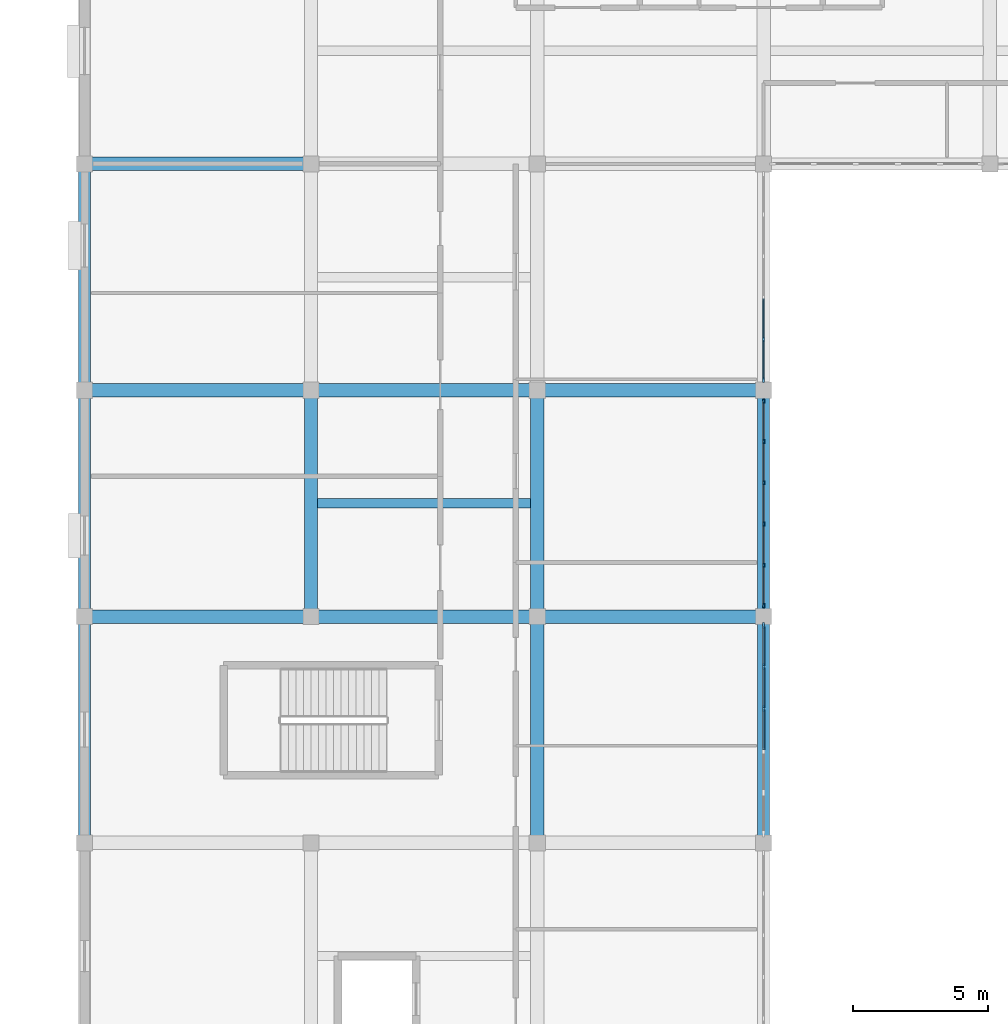
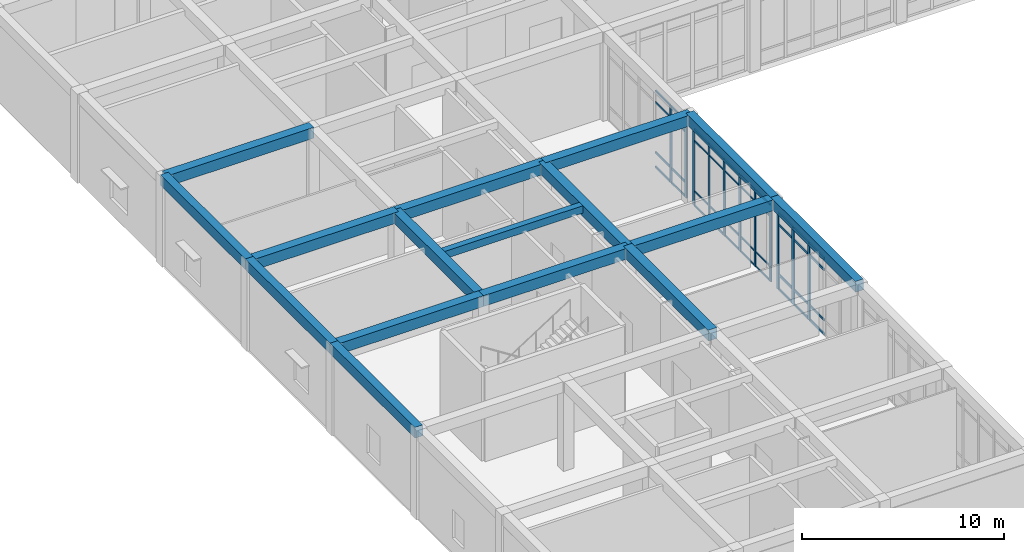
# One storey, part 17 of 89: 51 members, 16 beams, 3 elements without a shape of their own.
"""IFC4 building model written with IfcOpenShell, lengths in metres."""

from ifc_helpers import new_model, si_unit, direction, frame, origin, origin_2d, place, context, subcontext, project, spatial, rectangle, extrude, material, material_profile, profile_set, type_object, element, aggregate, save


model = new_model("IFC4")

# Units and contexts
model_context = context("Model", 3, precision=1e-05, world=origin(), true_north=direction((0.0, 1.0)))
body_context = subcontext(model_context, "Body", "Model", "MODEL_VIEW")
ifc_project = project(units=[si_unit("LENGTHUNIT", "METRE"), si_unit("AREAUNIT", "SQUARE_METRE"), si_unit("VOLUMEUNIT", "CUBIC_METRE"), si_unit("PLANEANGLEUNIT", "RADIAN"), si_unit("MASSUNIT", "GRAM", prefix="KILO")], contexts=[model_context])

# Site, building, storey
site_placement = place(None, origin())
site = spatial("IfcSite", under=ifc_project, at=site_placement, CompositionType="ELEMENT")
building_placement = place(site_placement, origin())
building = spatial("IfcBuilding", under=site, at=building_placement, Name="Varncliffe General Hospital", CompositionType="ELEMENT")
storey_placement = place(building_placement, frame((0.0, 0.0, 10.800048828125)))
storey = spatial("IfcBuildingStorey", under=building, at=storey_placement, Name="L02", CompositionType="ELEMENT", Elevation=10.800048828125)

# Beams
ifc_material_1 = material(Name="Concrete C35/45 (CSA A23.1 35 MPa)", Category="concrete")
ifc_material_profile_1 = material_profile(ifc_material_1, rectangle(XDim=0.5, YDim=0.64990234375, at=origin_2d()), Name="RC 500x650")
ifc_profile_set_1 = profile_set([ifc_material_profile_1], Name="Concrete C35/45 (CSA A23.1 35 MPa)")
beam_type_1 = type_object("IfcBeamType", Name="Beam B29 (Int RC 500x650)", PredefinedType="BEAM", material=ifc_profile_set_1)
beam_1_placement = place(storey_placement, frame((0.0, 66.0, 5.074951171875), z_axis=(1.0, 0.0, 0.0), x_axis=(0.0, 1.0, 0.0)))
element("IfcBeam", 1, at=beam_1_placement, inside=storey, type_object=beam_type_1, Name="L02 Primary Beam B29-67", PredefinedType="BEAM", context=body_context, shape_type="SweptSolid", body=[
    extrude(rectangle(XDim=0.5, YDim=0.64990234375, at=origin_2d()), origin(), (0.0, 0.0, 1.0), 8.39990234375),
])
beam_2_placement = place(storey_placement, frame((8.39990234375, 66.0, 5.074951171875), z_axis=(1.0, 0.0, 0.0), x_axis=(0.0, 1.0, 0.0)))
element("IfcBeam", 2, at=beam_2_placement, inside=storey, type_object=beam_type_1, Name="L02 Primary Beam B29-68", PredefinedType="BEAM", context=body_context, shape_type="SweptSolid", body=[
    extrude(rectangle(XDim=0.5, YDim=0.64990234375, at=origin_2d()), origin(), (0.0, 0.0, 1.0), 8.400146484375),
])
for number, where, z_axis, x_axis, name in (
    (3, (16.800048828125, 66.0, 5.074951171875), (1.0, 0.0, 0.0), (0.0, 1.0, 0.0), "L02 Primary Beam B29-69"),
    (4, (0.0, 74.39990234375, 5.074951171875), (1.0, 0.0, 0.0), (0.0, 1.0, 0.0), "L02 Primary Beam B29-80"),
):
    element("IfcBeam", number, at=place(storey_placement, frame(where, z_axis=z_axis, x_axis=x_axis)), inside=storey, type_object=beam_type_1, Name=name, PredefinedType="BEAM", context=body_context, shape_type="SweptSolid", body=[
        extrude(rectangle(XDim=0.5, YDim=0.64990234375, at=origin_2d()), origin(), (0.0, 0.0, 1.0), 8.39990234375),
    ])
beam_3_placement = place(storey_placement, frame((8.39990234375, 74.39990234375, 5.074951171875), z_axis=(1.0, 0.0, 0.0), x_axis=(0.0, 1.0, 0.0)))
element("IfcBeam", 5, at=beam_3_placement, inside=storey, type_object=beam_type_1, Name="L02 Primary Beam B29-81", PredefinedType="BEAM", context=body_context, shape_type="SweptSolid", body=[
    extrude(rectangle(XDim=0.5, YDim=0.64990234375, at=origin_2d()), origin(), (0.0, 0.0, 1.0), 8.400146484375),
])
for number, where, z_axis, x_axis, name in (
    (6, (16.800048828125, 74.39990234375, 5.074951171875), (1.0, 0.0, 0.0), (0.0, 1.0, 0.0), "L02 Primary Beam B29-82"),
    (7, (0.0, 82.800048828125, 5.074951171875), (1.0, 0.0, 0.0), (0.0, 1.0, 0.0), "L02 Primary Beam B29-93"),
    (8, (8.39990234375, 66.0, 5.074951171875), (0.0, 1.0, 0.0), (-1.0, 0.0, 0.0), "L02 Primary Beam B29-254"),
    (9, (16.800048828125, 57.60009765625, 5.074951171875), (0.0, 1.0, 0.0), (-1.0, 0.0, 0.0), "L02 Primary Beam B29-265"),
    (10, (16.800048828125, 66.0, 5.074951171875), (0.0, 1.0, 0.0), (-1.0, 0.0, 0.0), "L02 Primary Beam B29-266"),
):
    element("IfcBeam", number, at=place(storey_placement, frame(where, z_axis=z_axis, x_axis=x_axis)), inside=storey, type_object=beam_type_1, Name=name, PredefinedType="BEAM", context=body_context, shape_type="SweptSolid", body=[
        extrude(rectangle(XDim=0.5, YDim=0.64990234375, at=origin_2d()), origin(), (0.0, 0.0, 1.0), 8.39990234375),
    ])

# Curtain wall, members
ifc_material_2 = material(Name="Triple low-E argon insulated vision glazing", Category="glass")
curtain_wall_type_1 = type_object("IfcCurtainWallType", Name="Unitised Glazed Curtain Wall CW70 (7724x4640)", PredefinedType="USERDEFINED", material=ifc_material_2)
curtain_wall_1_placement = place(storey_placement, origin())
curtain_wall_1 = element("IfcCurtainWall", 11, at=curtain_wall_1_placement, inside=storey, type_object=curtain_wall_type_1, Name="L02 Glazed Curtain Wall CW70-148", ObjectType="GLAZED CURTAIN WALL", PredefinedType="USERDEFINED")
ifc_material_3 = material(Name="Dark bronze thermally broken aluminium framing", Category="aluminium")
ifc_material_profile_2 = material_profile(ifc_material_3, rectangle(XDim=0.074951171875, YDim=0.179931640625, at=origin_2d()), Name="ALU 75x180")
ifc_profile_set_2 = profile_set([ifc_material_profile_2], Name="Dark bronze thermally broken aluminium framing")
member_type_1 = type_object("IfcMemberType", Name="Curtain Wall Mullion CM44 (ALU 75x180)", PredefinedType="MULLION", material=ifc_profile_set_2)
member_1_placement = place(storey_placement, frame((25.199951171875, 76.28271484375, 0.0), z_axis=(0.0, 0.0, 1.0), x_axis=(1.0, 0.0, 0.0)))
member_1 = element("IfcMember", 12, at=member_1_placement, type_object=member_type_1, Name="CW70 mullion 5", PredefinedType="MULLION", context=body_context, shape_type="SweptSolid", body=[
    extrude(rectangle(XDim=0.074951171875, YDim=0.179931640625, at=origin_2d()), origin(), (0.0, 0.0, 1.0), 4.639892578125),
])
member_2_placement = place(storey_placement, frame((25.199951171875, 74.775390625, 0.0), z_axis=(0.0, 0.0, 1.0), x_axis=(1.0, 0.0, 0.0)))
member_2 = element("IfcMember", 13, at=member_2_placement, type_object=member_type_1, Name="CW70 mullion 6", PredefinedType="MULLION", context=body_context, shape_type="SweptSolid", body=[
    extrude(rectangle(XDim=0.074951171875, YDim=0.179931640625, at=origin_2d()), origin(), (0.0, 0.0, 1.0), 4.639892578125),
])

curtain_wall_type_2 = type_object("IfcCurtainWallType", Name="Unitised Glazed Curtain Wall CW27 (7644x4640)", PredefinedType="USERDEFINED", material=ifc_material_2)
curtain_wall_2_placement = place(storey_placement, origin())
curtain_wall_2 = element("IfcCurtainWall", 14, at=curtain_wall_2_placement, inside=storey, type_object=curtain_wall_type_2, Name="L02 Glazed Curtain Wall CW27-149", ObjectType="GLAZED CURTAIN WALL", PredefinedType="USERDEFINED")
ifc_material_profile_3 = material_profile(ifc_material_3, rectangle(XDim=0.06494140625, YDim=0.159912109375, at=origin_2d()), Name="ALU 65x160")
ifc_profile_set_3 = profile_set([ifc_material_profile_3], Name="Dark bronze thermally broken aluminium framing")
member_type_2 = type_object("IfcMemberType", Name="Curtain Wall Mullion CM65 (ALU 65x160)", PredefinedType="MULLION", material=ifc_profile_set_3)
member_3_placement = place(storey_placement, frame((25.199951171875, 73.989501953125, 0.0), z_axis=(0.0, 0.0, 1.0), x_axis=(1.0, 0.0, 0.0)))
member_3 = element("IfcMember", 15, at=member_3_placement, type_object=member_type_2, Name="CW27 mullion 1", PredefinedType="MULLION", context=body_context, shape_type="SweptSolid", body=[
    extrude(rectangle(XDim=0.06494140625, YDim=0.159912109375, at=origin_2d()), origin(), (0.0, 0.0, 1.0), 4.639892578125),
])
member_4_placement = place(storey_placement, frame((25.199951171875, 72.4931640625, 0.0), z_axis=(0.0, 0.0, 1.0), x_axis=(1.0, 0.0, 0.0)))
member_4 = element("IfcMember", 16, at=member_4_placement, type_object=member_type_2, Name="CW27 mullion 2", PredefinedType="MULLION", context=body_context, shape_type="SweptSolid", body=[
    extrude(rectangle(XDim=0.06494140625, YDim=0.159912109375, at=origin_2d()), origin(), (0.0, 0.0, 1.0), 4.639892578125),
])
member_5_placement = place(storey_placement, frame((25.199951171875, 70.96435546875, 0.0), z_axis=(0.0, 0.0, 1.0), x_axis=(1.0, 0.0, 0.0)))
member_5 = element("IfcMember", 17, at=member_5_placement, type_object=member_type_2, Name="CW27 mullion 3", PredefinedType="MULLION", context=body_context, shape_type="SweptSolid", body=[
    extrude(rectangle(XDim=0.06494140625, YDim=0.159912109375, at=origin_2d()), origin(), (0.0, 0.0, 1.0), 4.639892578125),
])
member_6_placement = place(storey_placement, frame((25.199951171875, 69.435546875, 0.0), z_axis=(0.0, 0.0, 1.0), x_axis=(1.0, 0.0, 0.0)))
member_6 = element("IfcMember", 18, at=member_6_placement, type_object=member_type_2, Name="CW27 mullion 4", PredefinedType="MULLION", context=body_context, shape_type="SweptSolid", body=[
    extrude(rectangle(XDim=0.06494140625, YDim=0.159912109375, at=origin_2d()), origin(), (0.0, 0.0, 1.0), 4.639892578125),
])
member_7_placement = place(storey_placement, frame((25.199951171875, 67.90673828125, 0.0), z_axis=(0.0, 0.0, 1.0), x_axis=(1.0, 0.0, 0.0)))
member_7 = element("IfcMember", 19, at=member_7_placement, type_object=member_type_2, Name="CW27 mullion 5", PredefinedType="MULLION", context=body_context, shape_type="SweptSolid", body=[
    extrude(rectangle(XDim=0.06494140625, YDim=0.159912109375, at=origin_2d()), origin(), (0.0, 0.0, 1.0), 4.639892578125),
])
member_8_placement = place(storey_placement, frame((25.199951171875, 66.410400390625, 0.0), z_axis=(0.0, 0.0, 1.0), x_axis=(1.0, 0.0, 0.0)))
member_8 = element("IfcMember", 20, at=member_8_placement, type_object=member_type_2, Name="CW27 mullion 6", PredefinedType="MULLION", context=body_context, shape_type="SweptSolid", body=[
    extrude(rectangle(XDim=0.06494140625, YDim=0.159912109375, at=origin_2d()), origin(), (0.0, 0.0, 1.0), 4.639892578125),
])

curtain_wall_type_3 = type_object("IfcCurtainWallType", Name="Unitised Glazed Curtain Wall CW85 (7804x4640)", PredefinedType="USERDEFINED", material=ifc_material_2)
curtain_wall_3_placement = place(storey_placement, origin())
curtain_wall_3 = element("IfcCurtainWall", 21, at=curtain_wall_3_placement, inside=storey, type_object=curtain_wall_type_3, Name="L02 Glazed Curtain Wall CW85-150", ObjectType="GLAZED CURTAIN WALL", PredefinedType="USERDEFINED")
ifc_material_profile_4 = material_profile(ifc_material_3, rectangle(XDim=0.074951171875, YDim=0.219970703125, at=origin_2d()), Name="ALU 75x220")
ifc_profile_set_4 = profile_set([ifc_material_profile_4], Name="Dark bronze thermally broken aluminium framing")
member_type_3 = type_object("IfcMemberType", Name="Curtain Wall Mullion CM74 (ALU 75x220)", PredefinedType="MULLION", material=ifc_profile_set_4)
member_9_placement = place(storey_placement, frame((25.199951171875, 65.66455078125, 0.0), z_axis=(0.0, 0.0, 1.0), x_axis=(1.0, 0.0, 0.0)))
member_9 = element("IfcMember", 22, at=member_9_placement, type_object=member_type_3, Name="CW85 mullion 1", PredefinedType="MULLION", context=body_context, shape_type="SweptSolid", body=[
    extrude(rectangle(XDim=0.074951171875, YDim=0.219970703125, at=origin_2d()), origin(), (0.0, 0.0, 1.0), 4.639892578125),
])
member_10_placement = place(storey_placement, frame((25.199951171875, 64.14111328125, 0.0), z_axis=(0.0, 0.0, 1.0), x_axis=(1.0, 0.0, 0.0)))
member_10 = element("IfcMember", 23, at=member_10_placement, type_object=member_type_3, Name="CW85 mullion 2", PredefinedType="MULLION", context=body_context, shape_type="SweptSolid", body=[
    extrude(rectangle(XDim=0.074951171875, YDim=0.219970703125, at=origin_2d()), origin(), (0.0, 0.0, 1.0), 4.639892578125),
])
member_11_placement = place(storey_placement, frame((25.199951171875, 62.580322265625, 0.0), z_axis=(0.0, 0.0, 1.0), x_axis=(1.0, 0.0, 0.0)))
member_11 = element("IfcMember", 24, at=member_11_placement, type_object=member_type_3, Name="CW85 mullion 3", PredefinedType="MULLION", context=body_context, shape_type="SweptSolid", body=[
    extrude(rectangle(XDim=0.074951171875, YDim=0.219970703125, at=origin_2d()), origin(), (0.0, 0.0, 1.0), 4.639892578125),
])

# Member
ifc_material_profile_5 = material_profile(ifc_material_3, rectangle(XDim=0.06005859375, YDim=0.1201171875, at=origin_2d()), Name="ALU 60x120")
ifc_profile_set_5 = profile_set([ifc_material_profile_5], Name="Dark bronze thermally broken aluminium framing")
member_type_4 = type_object("IfcMemberType", Name="Curtain Wall Transom CT14 (ALU 60x120)", PredefinedType="USERDEFINED", material=ifc_profile_set_5)
member_12_placement = place(storey_placement, frame((25.199951171875, 77.7900390625, 0.030029296875), z_axis=(0.0, -1.0, 0.0), x_axis=(1.0, 0.0, 0.0)))
member_12 = element("IfcMember", 25, at=member_12_placement, type_object=member_type_4, Name="CW70 transom 4.1", ObjectType="TRANSOM", PredefinedType="USERDEFINED", context=body_context, shape_type="SweptSolid", body=[
    extrude(rectangle(XDim=0.06005859375, YDim=0.1201171875, at=origin_2d()), origin(), (0.0, 0.0, 1.0), 1.4697265625),
])

member_13_placement = place(storey_placement, frame((25.199951171875, 77.7900390625, 0.89990234375), z_axis=(0.0, -1.0, 0.0), x_axis=(1.0, 0.0, 0.0)))
member_13 = element("IfcMember", 26, at=member_13_placement, type_object=member_type_4, Name="CW70 transom 4.2", ObjectType="TRANSOM", PredefinedType="USERDEFINED", context=body_context, shape_type="SweptSolid", body=[
    extrude(rectangle(XDim=0.06005859375, YDim=0.1201171875, at=origin_2d()), origin(), (0.0, 0.0, 1.0), 1.4697265625),
])

member_14_placement = place(storey_placement, frame((25.199951171875, 77.7900390625, 3.93994140625), z_axis=(0.0, -1.0, 0.0), x_axis=(1.0, 0.0, 0.0)))
member_14 = element("IfcMember", 27, at=member_14_placement, type_object=member_type_4, Name="CW70 transom 4.3", ObjectType="TRANSOM", PredefinedType="USERDEFINED", context=body_context, shape_type="SweptSolid", body=[
    extrude(rectangle(XDim=0.06005859375, YDim=0.1201171875, at=origin_2d()), origin(), (0.0, 0.0, 1.0), 1.4697265625),
])

member_15_placement = place(storey_placement, frame((25.199951171875, 77.7900390625, 4.60986328125), z_axis=(0.0, -1.0, 0.0), x_axis=(1.0, 0.0, 0.0)))
member_15 = element("IfcMember", 28, at=member_15_placement, type_object=member_type_4, Name="CW70 transom 4.4", ObjectType="TRANSOM", PredefinedType="USERDEFINED", context=body_context, shape_type="SweptSolid", body=[
    extrude(rectangle(XDim=0.06005859375, YDim=0.1201171875, at=origin_2d()), origin(), (0.0, 0.0, 1.0), 1.4697265625),
])

member_16_placement = place(storey_placement, frame((25.199951171875, 76.245361328125, 0.030029296875), z_axis=(0.0, -1.0, 0.0), x_axis=(1.0, 0.0, 0.0)))
member_16 = element("IfcMember", 29, at=member_16_placement, type_object=member_type_4, Name="CW70 transom 5.1", ObjectType="TRANSOM", PredefinedType="USERDEFINED", context=body_context, shape_type="SweptSolid", body=[
    extrude(rectangle(XDim=0.06005859375, YDim=0.1201171875, at=origin_2d()), origin(), (0.0, 0.0, 1.0), 1.432373046875),
])

member_17_placement = place(storey_placement, frame((25.199951171875, 76.245361328125, 0.89990234375), z_axis=(0.0, -1.0, 0.0), x_axis=(1.0, 0.0, 0.0)))
member_17 = element("IfcMember", 30, at=member_17_placement, type_object=member_type_4, Name="CW70 transom 5.2", ObjectType="TRANSOM", PredefinedType="USERDEFINED", context=body_context, shape_type="SweptSolid", body=[
    extrude(rectangle(XDim=0.06005859375, YDim=0.1201171875, at=origin_2d()), origin(), (0.0, 0.0, 1.0), 1.432373046875),
])

member_18_placement = place(storey_placement, frame((25.199951171875, 76.245361328125, 3.93994140625), z_axis=(0.0, -1.0, 0.0), x_axis=(1.0, 0.0, 0.0)))
member_18 = element("IfcMember", 31, at=member_18_placement, type_object=member_type_4, Name="CW70 transom 5.3", ObjectType="TRANSOM", PredefinedType="USERDEFINED", context=body_context, shape_type="SweptSolid", body=[
    extrude(rectangle(XDim=0.06005859375, YDim=0.1201171875, at=origin_2d()), origin(), (0.0, 0.0, 1.0), 1.432373046875),
])

member_19_placement = place(storey_placement, frame((25.199951171875, 76.245361328125, 4.60986328125), z_axis=(0.0, -1.0, 0.0), x_axis=(1.0, 0.0, 0.0)))
member_19 = element("IfcMember", 32, at=member_19_placement, type_object=member_type_4, Name="CW70 transom 5.4", ObjectType="TRANSOM", PredefinedType="USERDEFINED", context=body_context, shape_type="SweptSolid", body=[
    extrude(rectangle(XDim=0.06005859375, YDim=0.1201171875, at=origin_2d()), origin(), (0.0, 0.0, 1.0), 1.432373046875),
])

aggregate(curtain_wall_1, [member_1, member_2, member_12, member_13, member_14, member_15, member_16, member_17, member_18, member_19])

ifc_material_profile_6 = material_profile(ifc_material_3, rectangle(XDim=0.06005859375, YDim=0.10009765625, at=origin_2d()), Name="ALU 60x100")
ifc_profile_set_6 = profile_set([ifc_material_profile_6], Name="Dark bronze thermally broken aluminium framing")
member_type_5 = type_object("IfcMemberType", Name="Curtain Wall Transom CT18 (ALU 60x100)", PredefinedType="USERDEFINED", material=ifc_profile_set_6)
member_20_placement = place(storey_placement, frame((25.199951171875, 73.95703125, 0.030029296875), z_axis=(0.0, -1.0, 0.0), x_axis=(1.0, 0.0, 0.0)))
member_20 = element("IfcMember", 33, at=member_20_placement, type_object=member_type_5, Name="CW27 transom 1.1", ObjectType="TRANSOM", PredefinedType="USERDEFINED", context=body_context, shape_type="SweptSolid", body=[
    extrude(rectangle(XDim=0.06005859375, YDim=0.10009765625, at=origin_2d()), origin(), (0.0, 0.0, 1.0), 1.431396484375),
])

member_21_placement = place(storey_placement, frame((25.199951171875, 73.95703125, 0.89990234375), z_axis=(0.0, -1.0, 0.0), x_axis=(1.0, 0.0, 0.0)))
member_21 = element("IfcMember", 34, at=member_21_placement, type_object=member_type_5, Name="CW27 transom 1.2", ObjectType="TRANSOM", PredefinedType="USERDEFINED", context=body_context, shape_type="SweptSolid", body=[
    extrude(rectangle(XDim=0.06005859375, YDim=0.10009765625, at=origin_2d()), origin(), (0.0, 0.0, 1.0), 1.431396484375),
])

member_22_placement = place(storey_placement, frame((25.199951171875, 73.95703125, 3.93994140625), z_axis=(0.0, -1.0, 0.0), x_axis=(1.0, 0.0, 0.0)))
member_22 = element("IfcMember", 35, at=member_22_placement, type_object=member_type_5, Name="CW27 transom 1.3", ObjectType="TRANSOM", PredefinedType="USERDEFINED", context=body_context, shape_type="SweptSolid", body=[
    extrude(rectangle(XDim=0.06005859375, YDim=0.10009765625, at=origin_2d()), origin(), (0.0, 0.0, 1.0), 1.431396484375),
])

member_23_placement = place(storey_placement, frame((25.199951171875, 73.95703125, 4.60986328125), z_axis=(0.0, -1.0, 0.0), x_axis=(1.0, 0.0, 0.0)))
member_23 = element("IfcMember", 36, at=member_23_placement, type_object=member_type_5, Name="CW27 transom 1.4", ObjectType="TRANSOM", PredefinedType="USERDEFINED", context=body_context, shape_type="SweptSolid", body=[
    extrude(rectangle(XDim=0.06005859375, YDim=0.10009765625, at=origin_2d()), origin(), (0.0, 0.0, 1.0), 1.431396484375),
])

member_24_placement = place(storey_placement, frame((25.199951171875, 72.460693359375, 0.030029296875), z_axis=(0.0, -1.0, 0.0), x_axis=(1.0, 0.0, 0.0)))
member_24 = element("IfcMember", 37, at=member_24_placement, type_object=member_type_5, Name="CW27 transom 2.1", ObjectType="TRANSOM", PredefinedType="USERDEFINED", context=body_context, shape_type="SweptSolid", body=[
    extrude(rectangle(XDim=0.06005859375, YDim=0.10009765625, at=origin_2d()), origin(), (0.0, 0.0, 1.0), 1.4638671875),
])

member_25_placement = place(storey_placement, frame((25.199951171875, 72.460693359375, 0.89990234375), z_axis=(0.0, -1.0, 0.0), x_axis=(1.0, 0.0, 0.0)))
member_25 = element("IfcMember", 38, at=member_25_placement, type_object=member_type_5, Name="CW27 transom 2.2", ObjectType="TRANSOM", PredefinedType="USERDEFINED", context=body_context, shape_type="SweptSolid", body=[
    extrude(rectangle(XDim=0.06005859375, YDim=0.10009765625, at=origin_2d()), origin(), (0.0, 0.0, 1.0), 1.4638671875),
])

member_26_placement = place(storey_placement, frame((25.199951171875, 72.460693359375, 3.93994140625), z_axis=(0.0, -1.0, 0.0), x_axis=(1.0, 0.0, 0.0)))
member_26 = element("IfcMember", 39, at=member_26_placement, type_object=member_type_5, Name="CW27 transom 2.3", ObjectType="TRANSOM", PredefinedType="USERDEFINED", context=body_context, shape_type="SweptSolid", body=[
    extrude(rectangle(XDim=0.06005859375, YDim=0.10009765625, at=origin_2d()), origin(), (0.0, 0.0, 1.0), 1.4638671875),
])

member_27_placement = place(storey_placement, frame((25.199951171875, 72.460693359375, 4.60986328125), z_axis=(0.0, -1.0, 0.0), x_axis=(1.0, 0.0, 0.0)))
member_27 = element("IfcMember", 40, at=member_27_placement, type_object=member_type_5, Name="CW27 transom 2.4", ObjectType="TRANSOM", PredefinedType="USERDEFINED", context=body_context, shape_type="SweptSolid", body=[
    extrude(rectangle(XDim=0.06005859375, YDim=0.10009765625, at=origin_2d()), origin(), (0.0, 0.0, 1.0), 1.4638671875),
])

member_28_placement = place(storey_placement, frame((25.199951171875, 70.931884765625, 0.030029296875), z_axis=(0.0, -1.0, 0.0), x_axis=(1.0, 0.0, 0.0)))
member_28 = element("IfcMember", 41, at=member_28_placement, type_object=member_type_5, Name="CW27 transom 3.1", ObjectType="TRANSOM", PredefinedType="USERDEFINED", context=body_context, shape_type="SweptSolid", body=[
    extrude(rectangle(XDim=0.06005859375, YDim=0.10009765625, at=origin_2d()), origin(), (0.0, 0.0, 1.0), 1.4638671875),
])

member_29_placement = place(storey_placement, frame((25.199951171875, 70.931884765625, 0.89990234375), z_axis=(0.0, -1.0, 0.0), x_axis=(1.0, 0.0, 0.0)))
member_29 = element("IfcMember", 42, at=member_29_placement, type_object=member_type_5, Name="CW27 transom 3.2", ObjectType="TRANSOM", PredefinedType="USERDEFINED", context=body_context, shape_type="SweptSolid", body=[
    extrude(rectangle(XDim=0.06005859375, YDim=0.10009765625, at=origin_2d()), origin(), (0.0, 0.0, 1.0), 1.4638671875),
])

member_30_placement = place(storey_placement, frame((25.199951171875, 70.931884765625, 3.93994140625), z_axis=(0.0, -1.0, 0.0), x_axis=(1.0, 0.0, 0.0)))
member_30 = element("IfcMember", 43, at=member_30_placement, type_object=member_type_5, Name="CW27 transom 3.3", ObjectType="TRANSOM", PredefinedType="USERDEFINED", context=body_context, shape_type="SweptSolid", body=[
    extrude(rectangle(XDim=0.06005859375, YDim=0.10009765625, at=origin_2d()), origin(), (0.0, 0.0, 1.0), 1.4638671875),
])

member_31_placement = place(storey_placement, frame((25.199951171875, 70.931884765625, 4.60986328125), z_axis=(0.0, -1.0, 0.0), x_axis=(1.0, 0.0, 0.0)))
member_31 = element("IfcMember", 44, at=member_31_placement, type_object=member_type_5, Name="CW27 transom 3.4", ObjectType="TRANSOM", PredefinedType="USERDEFINED", context=body_context, shape_type="SweptSolid", body=[
    extrude(rectangle(XDim=0.06005859375, YDim=0.10009765625, at=origin_2d()), origin(), (0.0, 0.0, 1.0), 1.4638671875),
])

member_32_placement = place(storey_placement, frame((25.199951171875, 69.403076171875, 0.030029296875), z_axis=(0.0, -1.0, 0.0), x_axis=(1.0, 0.0, 0.0)))
member_32 = element("IfcMember", 45, at=member_32_placement, type_object=member_type_5, Name="CW27 transom 4.1", ObjectType="TRANSOM", PredefinedType="USERDEFINED", context=body_context, shape_type="SweptSolid", body=[
    extrude(rectangle(XDim=0.06005859375, YDim=0.10009765625, at=origin_2d()), origin(), (0.0, 0.0, 1.0), 1.4638671875),
])

member_33_placement = place(storey_placement, frame((25.199951171875, 69.403076171875, 0.89990234375), z_axis=(0.0, -1.0, 0.0), x_axis=(1.0, 0.0, 0.0)))
member_33 = element("IfcMember", 46, at=member_33_placement, type_object=member_type_5, Name="CW27 transom 4.2", ObjectType="TRANSOM", PredefinedType="USERDEFINED", context=body_context, shape_type="SweptSolid", body=[
    extrude(rectangle(XDim=0.06005859375, YDim=0.10009765625, at=origin_2d()), origin(), (0.0, 0.0, 1.0), 1.4638671875),
])

member_34_placement = place(storey_placement, frame((25.199951171875, 69.403076171875, 3.93994140625), z_axis=(0.0, -1.0, 0.0), x_axis=(1.0, 0.0, 0.0)))
member_34 = element("IfcMember", 47, at=member_34_placement, type_object=member_type_5, Name="CW27 transom 4.3", ObjectType="TRANSOM", PredefinedType="USERDEFINED", context=body_context, shape_type="SweptSolid", body=[
    extrude(rectangle(XDim=0.06005859375, YDim=0.10009765625, at=origin_2d()), origin(), (0.0, 0.0, 1.0), 1.4638671875),
])

member_35_placement = place(storey_placement, frame((25.199951171875, 69.403076171875, 4.60986328125), z_axis=(0.0, -1.0, 0.0), x_axis=(1.0, 0.0, 0.0)))
member_35 = element("IfcMember", 48, at=member_35_placement, type_object=member_type_5, Name="CW27 transom 4.4", ObjectType="TRANSOM", PredefinedType="USERDEFINED", context=body_context, shape_type="SweptSolid", body=[
    extrude(rectangle(XDim=0.06005859375, YDim=0.10009765625, at=origin_2d()), origin(), (0.0, 0.0, 1.0), 1.4638671875),
])

member_36_placement = place(storey_placement, frame((25.199951171875, 67.874267578125, 0.030029296875), z_axis=(0.0, -1.0, 0.0), x_axis=(1.0, 0.0, 0.0)))
member_36 = element("IfcMember", 49, at=member_36_placement, type_object=member_type_5, Name="CW27 transom 5.1", ObjectType="TRANSOM", PredefinedType="USERDEFINED", context=body_context, shape_type="SweptSolid", body=[
    extrude(rectangle(XDim=0.06005859375, YDim=0.10009765625, at=origin_2d()), origin(), (0.0, 0.0, 1.0), 1.43115234375),
])

member_37_placement = place(storey_placement, frame((25.199951171875, 67.874267578125, 0.89990234375), z_axis=(0.0, -1.0, 0.0), x_axis=(1.0, 0.0, 0.0)))
member_37 = element("IfcMember", 50, at=member_37_placement, type_object=member_type_5, Name="CW27 transom 5.2", ObjectType="TRANSOM", PredefinedType="USERDEFINED", context=body_context, shape_type="SweptSolid", body=[
    extrude(rectangle(XDim=0.06005859375, YDim=0.10009765625, at=origin_2d()), origin(), (0.0, 0.0, 1.0), 1.43115234375),
])

member_38_placement = place(storey_placement, frame((25.199951171875, 67.874267578125, 3.93994140625), z_axis=(0.0, -1.0, 0.0), x_axis=(1.0, 0.0, 0.0)))
member_38 = element("IfcMember", 51, at=member_38_placement, type_object=member_type_5, Name="CW27 transom 5.3", ObjectType="TRANSOM", PredefinedType="USERDEFINED", context=body_context, shape_type="SweptSolid", body=[
    extrude(rectangle(XDim=0.06005859375, YDim=0.10009765625, at=origin_2d()), origin(), (0.0, 0.0, 1.0), 1.43115234375),
])

member_39_placement = place(storey_placement, frame((25.199951171875, 67.874267578125, 4.60986328125), z_axis=(0.0, -1.0, 0.0), x_axis=(1.0, 0.0, 0.0)))
member_39 = element("IfcMember", 52, at=member_39_placement, type_object=member_type_5, Name="CW27 transom 5.4", ObjectType="TRANSOM", PredefinedType="USERDEFINED", context=body_context, shape_type="SweptSolid", body=[
    extrude(rectangle(XDim=0.06005859375, YDim=0.10009765625, at=origin_2d()), origin(), (0.0, 0.0, 1.0), 1.43115234375),
])

aggregate(curtain_wall_2, [member_3, member_4, member_5, member_6, member_7, member_8, member_20, member_21, member_22, member_23, member_24, member_25, member_26, member_27, member_28, member_29, member_30, member_31, member_32, member_33, member_34, member_35, member_36, member_37, member_38, member_39])

ifc_material_profile_7 = material_profile(ifc_material_3, rectangle(XDim=0.06494140625, YDim=0.139892578125, at=origin_2d()), Name="ALU 65x140")
ifc_profile_set_7 = profile_set([ifc_material_profile_7], Name="Dark bronze thermally broken aluminium framing")
member_type_6 = type_object("IfcMemberType", Name="Curtain Wall Transom CT69 (ALU 65x140)", PredefinedType="USERDEFINED", material=ifc_profile_set_7)
member_40_placement = place(storey_placement, frame((25.199951171875, 65.626953125, 0.032470703125), z_axis=(0.0, -1.0, 0.0), x_axis=(1.0, 0.0, 0.0)))
member_40 = element("IfcMember", 53, at=member_40_placement, type_object=member_type_6, Name="CW85 transom 1.1", ObjectType="TRANSOM", PredefinedType="USERDEFINED", context=body_context, shape_type="SweptSolid", body=[
    extrude(rectangle(XDim=0.06494140625, YDim=0.139892578125, at=origin_2d()), origin(), (0.0, 0.0, 1.0), 1.4482421875),
])

member_41_placement = place(storey_placement, frame((25.199951171875, 65.626953125, 0.89990234375), z_axis=(0.0, -1.0, 0.0), x_axis=(1.0, 0.0, 0.0)))
member_41 = element("IfcMember", 54, at=member_41_placement, type_object=member_type_6, Name="CW85 transom 1.2", ObjectType="TRANSOM", PredefinedType="USERDEFINED", context=body_context, shape_type="SweptSolid", body=[
    extrude(rectangle(XDim=0.06494140625, YDim=0.139892578125, at=origin_2d()), origin(), (0.0, 0.0, 1.0), 1.4482421875),
])

member_42_placement = place(storey_placement, frame((25.199951171875, 65.626953125, 3.93994140625), z_axis=(0.0, -1.0, 0.0), x_axis=(1.0, 0.0, 0.0)))
member_42 = element("IfcMember", 55, at=member_42_placement, type_object=member_type_6, Name="CW85 transom 1.3", ObjectType="TRANSOM", PredefinedType="USERDEFINED", context=body_context, shape_type="SweptSolid", body=[
    extrude(rectangle(XDim=0.06494140625, YDim=0.139892578125, at=origin_2d()), origin(), (0.0, 0.0, 1.0), 1.4482421875),
])

member_43_placement = place(storey_placement, frame((25.199951171875, 65.626953125, 4.607421875), z_axis=(0.0, -1.0, 0.0), x_axis=(1.0, 0.0, 0.0)))
member_43 = element("IfcMember", 56, at=member_43_placement, type_object=member_type_6, Name="CW85 transom 1.4", ObjectType="TRANSOM", PredefinedType="USERDEFINED", context=body_context, shape_type="SweptSolid", body=[
    extrude(rectangle(XDim=0.06494140625, YDim=0.139892578125, at=origin_2d()), origin(), (0.0, 0.0, 1.0), 1.4482421875),
])

member_44_placement = place(storey_placement, frame((25.199951171875, 64.103759765625, 0.032470703125), z_axis=(0.0, -1.0, 0.0), x_axis=(1.0, 0.0, 0.0)))
member_44 = element("IfcMember", 57, at=member_44_placement, type_object=member_type_6, Name="CW85 transom 2.1", ObjectType="TRANSOM", PredefinedType="USERDEFINED", context=body_context, shape_type="SweptSolid", body=[
    extrude(rectangle(XDim=0.06494140625, YDim=0.139892578125, at=origin_2d()), origin(), (0.0, 0.0, 1.0), 1.48583984375),
])

member_45_placement = place(storey_placement, frame((25.199951171875, 64.103759765625, 0.89990234375), z_axis=(0.0, -1.0, 0.0), x_axis=(1.0, 0.0, 0.0)))
member_45 = element("IfcMember", 58, at=member_45_placement, type_object=member_type_6, Name="CW85 transom 2.2", ObjectType="TRANSOM", PredefinedType="USERDEFINED", context=body_context, shape_type="SweptSolid", body=[
    extrude(rectangle(XDim=0.06494140625, YDim=0.139892578125, at=origin_2d()), origin(), (0.0, 0.0, 1.0), 1.48583984375),
])

member_46_placement = place(storey_placement, frame((25.199951171875, 64.103759765625, 3.93994140625), z_axis=(0.0, -1.0, 0.0), x_axis=(1.0, 0.0, 0.0)))
member_46 = element("IfcMember", 59, at=member_46_placement, type_object=member_type_6, Name="CW85 transom 2.3", ObjectType="TRANSOM", PredefinedType="USERDEFINED", context=body_context, shape_type="SweptSolid", body=[
    extrude(rectangle(XDim=0.06494140625, YDim=0.139892578125, at=origin_2d()), origin(), (0.0, 0.0, 1.0), 1.48583984375),
])

member_47_placement = place(storey_placement, frame((25.199951171875, 64.103759765625, 4.607421875), z_axis=(0.0, -1.0, 0.0), x_axis=(1.0, 0.0, 0.0)))
member_47 = element("IfcMember", 60, at=member_47_placement, type_object=member_type_6, Name="CW85 transom 2.4", ObjectType="TRANSOM", PredefinedType="USERDEFINED", context=body_context, shape_type="SweptSolid", body=[
    extrude(rectangle(XDim=0.06494140625, YDim=0.139892578125, at=origin_2d()), origin(), (0.0, 0.0, 1.0), 1.48583984375),
])

member_48_placement = place(storey_placement, frame((25.199951171875, 62.54296875, 0.032470703125), z_axis=(0.0, -1.0, 0.0), x_axis=(1.0, 0.0, 0.0)))
member_48 = element("IfcMember", 61, at=member_48_placement, type_object=member_type_6, Name="CW85 transom 3.1", ObjectType="TRANSOM", PredefinedType="USERDEFINED", context=body_context, shape_type="SweptSolid", body=[
    extrude(rectangle(XDim=0.06494140625, YDim=0.139892578125, at=origin_2d()), origin(), (0.0, 0.0, 1.0), 1.48583984375),
])

member_49_placement = place(storey_placement, frame((25.199951171875, 62.54296875, 0.89990234375), z_axis=(0.0, -1.0, 0.0), x_axis=(1.0, 0.0, 0.0)))
member_49 = element("IfcMember", 62, at=member_49_placement, type_object=member_type_6, Name="CW85 transom 3.2", ObjectType="TRANSOM", PredefinedType="USERDEFINED", context=body_context, shape_type="SweptSolid", body=[
    extrude(rectangle(XDim=0.06494140625, YDim=0.139892578125, at=origin_2d()), origin(), (0.0, 0.0, 1.0), 1.48583984375),
])

member_50_placement = place(storey_placement, frame((25.199951171875, 62.54296875, 3.93994140625), z_axis=(0.0, -1.0, 0.0), x_axis=(1.0, 0.0, 0.0)))
member_50 = element("IfcMember", 63, at=member_50_placement, type_object=member_type_6, Name="CW85 transom 3.3", ObjectType="TRANSOM", PredefinedType="USERDEFINED", context=body_context, shape_type="SweptSolid", body=[
    extrude(rectangle(XDim=0.06494140625, YDim=0.139892578125, at=origin_2d()), origin(), (0.0, 0.0, 1.0), 1.48583984375),
])

member_51_placement = place(storey_placement, frame((25.199951171875, 62.54296875, 4.607421875), z_axis=(0.0, -1.0, 0.0), x_axis=(1.0, 0.0, 0.0)))
member_51 = element("IfcMember", 64, at=member_51_placement, type_object=member_type_6, Name="CW85 transom 3.4", ObjectType="TRANSOM", PredefinedType="USERDEFINED", context=body_context, shape_type="SweptSolid", body=[
    extrude(rectangle(XDim=0.06494140625, YDim=0.139892578125, at=origin_2d()), origin(), (0.0, 0.0, 1.0), 1.48583984375),
])

aggregate(curtain_wall_3, [member_9, member_10, member_11, member_40, member_41, member_42, member_43, member_44, member_45, member_46, member_47, member_48, member_49, member_50, member_51])

# Beams
ifc_material_profile_8 = material_profile(ifc_material_1, rectangle(XDim=0.35009765625, YDim=0.449951171875, at=origin_2d()), Name="RC 350x450")
ifc_profile_set_8 = profile_set([ifc_material_profile_8], Name="Concrete C35/45 (CSA A23.1 35 MPa)")
beam_type_2 = type_object("IfcBeamType", Name="Joist J55 (Int RC 350x450)", PredefinedType="JOIST", material=ifc_profile_set_8)
beam_4_placement = place(storey_placement, frame((8.64794921875, 70.199951171875, 5.175048828125), z_axis=(1.0, 0.0, 0.0), x_axis=(0.0, 1.0, 0.0)))
element("IfcBeam", 65, at=beam_4_placement, inside=storey, type_object=beam_type_2, Name="L02 Secondary Floor Rib J55-3", PredefinedType="JOIST", context=body_context, shape_type="SweptSolid", body=[
    extrude(rectangle(XDim=0.35009765625, YDim=0.449951171875, at=origin_2d()), origin(), (0.0, 0.0, 1.0), 7.904052734375),
])
ifc_material_profile_9 = material_profile(ifc_material_1, rectangle(XDim=0.449951171875, YDim=0.64990234375, at=origin_2d()), Name="RC 450x650")
ifc_profile_set_9 = profile_set([ifc_material_profile_9], Name="Concrete C35/45 (CSA A23.1 35 MPa)")
beam_type_3 = type_object("IfcBeamType", Name="Spandrel SP38 (Ext RC 450x650B)", PredefinedType="SPANDREL", material=ifc_profile_set_9)
for number, where, z_axis, x_axis, name in (
    (66, (0.0, 57.60009765625, 5.074951171875), (0.0, 1.0, 0.0), (-1.0, 0.0, 0.0), "L02 Spandrel Beam SP38-242"),
    (67, (0.0, 66.0, 5.074951171875), (0.0, 1.0, 0.0), (-1.0, 0.0, 0.0), "L02 Spandrel Beam SP38-243"),
):
    element("IfcBeam", number, at=place(storey_placement, frame(where, z_axis=z_axis, x_axis=x_axis)), inside=storey, type_object=beam_type_3, Name=name, PredefinedType="SPANDREL", context=body_context, shape_type="SweptSolid", body=[
        extrude(rectangle(XDim=0.449951171875, YDim=0.64990234375, at=origin_2d()), origin(), (0.0, 0.0, 1.0), 8.39990234375),
    ])
beam_5_placement = place(storey_placement, frame((0.0, 74.39990234375, 5.074951171875), z_axis=(0.0, 1.0, 0.0), x_axis=(-1.0, 0.0, 0.0)))
element("IfcBeam", 68, at=beam_5_placement, inside=storey, type_object=beam_type_3, Name="L02 Spandrel Beam SP38-244", PredefinedType="SPANDREL", context=body_context, shape_type="SweptSolid", body=[
    extrude(rectangle(XDim=0.449951171875, YDim=0.64990234375, at=origin_2d()), origin(), (0.0, 0.0, 1.0), 8.400146484375),
])
for number, where, z_axis, x_axis, name in (
    (69, (25.199951171875, 57.60009765625, 5.074951171875), (0.0, 1.0, 0.0), (-1.0, 0.0, 0.0), "L02 Spandrel Beam SP38-277"),
    (70, (25.199951171875, 66.0, 5.074951171875), (0.0, 1.0, 0.0), (-1.0, 0.0, 0.0), "L02 Spandrel Beam SP38-278"),
):
    element("IfcBeam", number, at=place(storey_placement, frame(where, z_axis=z_axis, x_axis=x_axis)), inside=storey, type_object=beam_type_3, Name=name, PredefinedType="SPANDREL", context=body_context, shape_type="SweptSolid", body=[
        extrude(rectangle(XDim=0.449951171875, YDim=0.64990234375, at=origin_2d()), origin(), (0.0, 0.0, 1.0), 8.39990234375),
    ])

save(model, "model.ifc")
